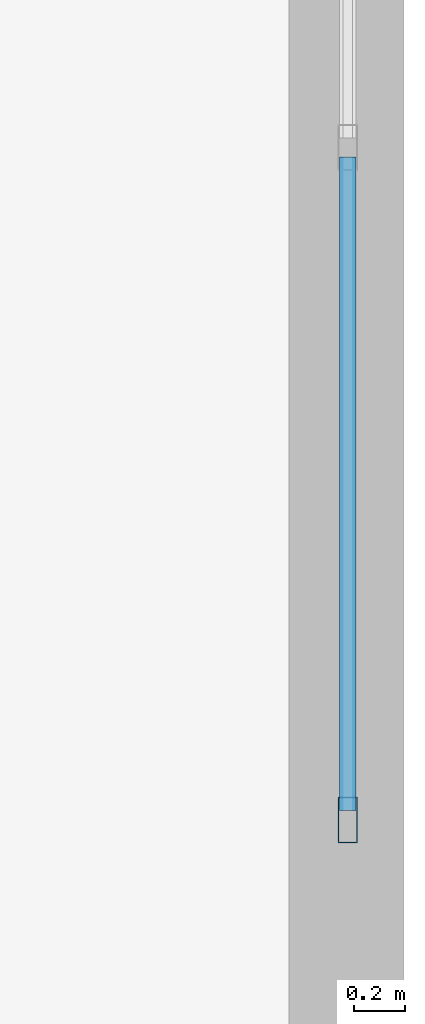
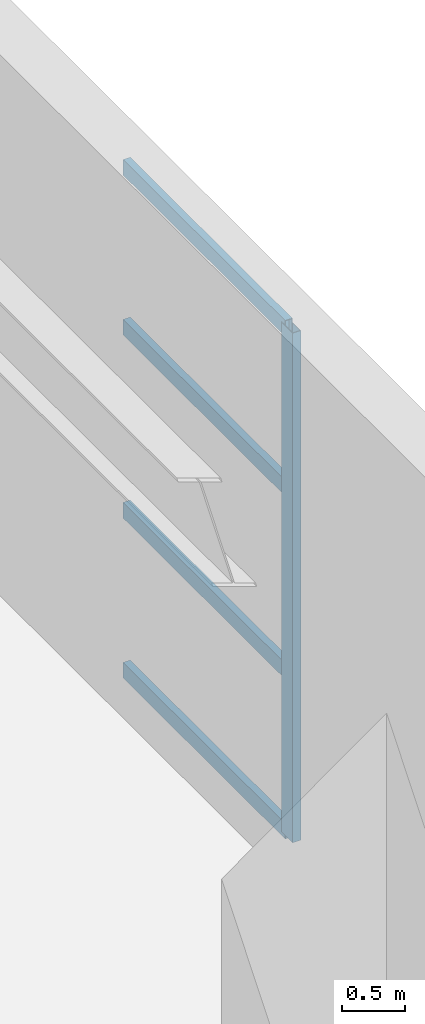
# One storey, part 14 of 35: 5 members, 1 element without a shape of its own.
"""IFC4 building model written with IfcOpenShell, lengths in metres."""

import ifcopenshell
import ifcopenshell.guid

model = None  # the IFC model being written
_history = None  # IfcOwnerHistory: only IFC2X3 demands one
_inside = {}  # id of a spatial element -> (the spatial element, [elements in it])
_under = {}  # id of a project, library or spatial element -> (it, [spatial elements below it])
_declared = {}  # id of a project -> (the project, [libraries it declares])
_typed = {}  # id of a type object -> (the type object, [elements of that type])
_made_of = {}  # id of a material, layer set ... -> (it, [elements and type objects made of it])


def new_model(schema):
    """Start an empty IFC model of exactly this schema.

    Asked for "IFC4X3", IfcOpenShell would pick the latest addendum, in which some entities
    have other attributes; the version numbers below select the first issue.
    IFC2X3 requires an IfcOwnerHistory on every rooted entity: one is made here for all.
    """
    global model, _history
    if schema == "IFC4X3":
        model = ifcopenshell.file(schema_version=(4, 3, 0, 0))
    else:
        model = ifcopenshell.file(schema=schema)
    _inside.clear()
    _under.clear()
    _declared.clear()
    _typed.clear()
    _made_of.clear()
    _history = None
    if model.schema == "IFC2X3":
        org = make("IfcOrganization", Name="unknown")
        user = make(
            "IfcPersonAndOrganization",
            ThePerson=make("IfcPerson", FamilyName="unknown"),
            TheOrganization=org,
        )
        app = make(
            "IfcApplication",
            ApplicationDeveloper=org,
            Version="unknown",
            ApplicationFullName="unknown",
            ApplicationIdentifier="unknown",
        )
        _history = make(
            "IfcOwnerHistory",
            OwningUser=user,
            OwningApplication=app,
            ChangeAction="ADDED",
            CreationDate=0,
        )
    return model


def make(cls, **values):
    """One entity of the class cls with the attributes given. An attribute that is None is left unset."""
    return model.create_entity(
        cls, **{name: value for name, value in values.items() if value is not None}
    )


def rooted(cls, **values):
    """An entity with a GlobalId (a new one), such as an element, a storey or a relation."""
    return make(cls, GlobalId=ifcopenshell.guid.new(), OwnerHistory=_history, **values)


def si_unit(unit_type, name, prefix=None):
    """IfcSIUnit, for example si_unit("LENGTHUNIT", "METRE", prefix="MILLI")."""
    return make("IfcSIUnit", UnitType=unit_type, Prefix=prefix, Name=name)


def assignment(units):
    """IfcUnitAssignment: the units of a project."""
    return None if units is None else make("IfcUnitAssignment", Units=units)


def point(xyz):
    """IfcCartesianPoint."""
    return None if xyz is None else make("IfcCartesianPoint", Coordinates=xyz)


def direction(xyz):
    """IfcDirection."""
    return None if xyz is None else make("IfcDirection", DirectionRatios=xyz)


def frame(location, z_axis=None, x_axis=None):
    """IfcAxis2Placement3D, a coordinate frame: its origin and axes. An axis left out is left unset."""
    return make(
        "IfcAxis2Placement3D",
        Location=point(location),
        Axis=direction(z_axis),
        RefDirection=direction(x_axis),
    )


def frame_2d(location, x_axis=None):
    """IfcAxis2Placement2D, a coordinate frame in the plane: its origin and x axis."""
    return make(
        "IfcAxis2Placement2D", Location=point(location), RefDirection=direction(x_axis)
    )


def origin():
    """The frame at (0, 0, 0) with its axes left unset."""
    return frame((0.0, 0.0, 0.0))


def origin_2d():
    """The frame at (0, 0) in the plane with its x axis left unset."""
    return frame_2d((0.0, 0.0))


def place(relative_to, where):
    """IfcLocalPlacement: puts the frame where relative to a parent placement (None: the world)."""
    return make(
        "IfcLocalPlacement", PlacementRelTo=relative_to, RelativePlacement=where
    )


def context(
    kind, dimensions, precision=None, world=None, true_north=None, identifier=None
):
    """IfcGeometricRepresentationContext, for example the 3D "Model" context."""
    return make(
        "IfcGeometricRepresentationContext",
        ContextIdentifier=identifier,
        ContextType=kind,
        CoordinateSpaceDimension=dimensions,
        Precision=precision,
        WorldCoordinateSystem=world,
        TrueNorth=true_north,
    )


def subcontext(parent, identifier, kind, view, scale=None):
    """IfcGeometricRepresentationSubContext, for example "Body" below "Model"."""
    return make(
        "IfcGeometricRepresentationSubContext",
        ContextIdentifier=identifier,
        ContextType=kind,
        ParentContext=parent,
        TargetScale=scale,
        TargetView=view,
    )


def project(units=None, contexts=None):
    """IfcProject with its units and contexts."""
    return rooted(
        "IfcProject",
        Name="project",
        RepresentationContexts=contexts,
        UnitsInContext=assignment(units),
    )


def spatial(cls, under=None, at=None, **own):
    """A site, building, storey or space (cls), placed at a placement, below another one or the project."""
    s = rooted(cls, ObjectPlacement=at, **own)
    if under is not None:
        _under.setdefault(under.id(), (under, []))[1].append(s)
    return s


def profile(cls, at=None, kind="AREA", **sizes):
    """A parametric profile (cls). Its sizes go by their IFC names, for example OverallWidth=200.0."""
    return make(cls, ProfileType=kind, Position=at, **sizes)


def hollow_rectangle(**sizes):
    """IfcRectangleHollowProfileDef."""
    return profile("IfcRectangleHollowProfileDef", **sizes)


def extrude(swept, where, along, depth):
    """IfcExtrudedAreaSolid: the profile swept, set in the frame where, extruded along a direction by depth."""
    return make(
        "IfcExtrudedAreaSolid",
        SweptArea=swept,
        Position=where,
        ExtrudedDirection=direction(along),
        Depth=depth,
    )


def shape(context_of_items, identifier, shape_type, items):
    """IfcShapeRepresentation: the items that make up one representation, for example the "Body"."""
    return make(
        "IfcShapeRepresentation",
        ContextOfItems=context_of_items,
        RepresentationIdentifier=identifier,
        RepresentationType=shape_type,
        Items=items,
    )


def material(Name=None, Category=None):
    """IfcMaterial."""
    return make("IfcMaterial", Name=Name, Category=Category)


def layer(
    of_material, thickness, ventilated=None, Name=None, Category=None, Priority=None
):
    """IfcMaterialLayer: one layer of a wall or slab, of a material (None: an air gap)."""
    return make(
        "IfcMaterialLayer",
        Material=of_material,
        LayerThickness=thickness,
        IsVentilated=ventilated,
        Name=Name,
        Category=Category,
        Priority=Priority,
    )


def layer_set(layers, Name=None):
    """IfcMaterialLayerSet."""
    return make("IfcMaterialLayerSet", MaterialLayers=layers, LayerSetName=Name)


def material_profile(
    of_material, cross_section, Name=None, Category=None, Priority=None
):
    """IfcMaterialProfile: a cross section and its material."""
    return make(
        "IfcMaterialProfile",
        Name=Name,
        Material=of_material,
        Profile=cross_section,
        Priority=Priority,
        Category=Category,
    )


def profile_set(profiles, Name=None, composite=None):
    """IfcMaterialProfileSet."""
    return make(
        "IfcMaterialProfileSet",
        Name=Name,
        MaterialProfiles=profiles,
        CompositeProfile=composite,
    )


def made_of(thing, what):
    """Note that an element or type object is made of a material, layer set ...; save() writes the relation."""
    if what is not None:
        _made_of.setdefault(what.id(), (what, []))[1].append(thing)
    return thing


def type_object(cls, material=None, **own):
    """A type object (cls), such as IfcWallType, which elements share."""
    return made_of(rooted(cls, **own), material)


def element(
    cls,
    number,
    at=None,
    inside=None,
    cuts=None,
    type_object=None,
    material=None,
    context=None,
    identifier="Body",
    shape_type=None,
    held_by="IfcProductDefinitionShape",
    body=None,
    shapes=None,
    **own,
):
    """One element of the class cls, such as IfcWall. Its Tag is "e" and its number.

    at: its placement. inside: the storey or other place that contains it. cuts: it is an
    opening in that element (IfcRelVoidsElement). A single representation is given by context,
    identifier, shape_type and body (its items); several are given by shapes. held_by: the class
    of the entity that holds the representations. save() writes the other relations.
    """
    e = rooted(cls, Tag="e%d" % number, ObjectPlacement=at, **own)
    if body is not None:
        shapes = [shape(context, identifier, shape_type, body)]
    if shapes is not None:
        e.Representation = make(held_by, Representations=shapes)
    if inside is not None:
        _inside.setdefault(inside.id(), (inside, []))[1].append(e)
    if cuts is not None:
        rooted(
            "IfcRelVoidsElement", RelatingBuildingElement=cuts, RelatedOpeningElement=e
        )
    if type_object is not None:
        _typed.setdefault(type_object.id(), (type_object, []))[1].append(e)
    return made_of(e, material)


def aggregate(whole, parts):
    """IfcRelAggregates: a whole, such as a stair, and the parts it consists of."""
    return rooted("IfcRelAggregates", RelatingObject=whole, RelatedObjects=parts)


def save(model, path):
    """Write the relations noted so far, then the file.

    IfcRelAggregates (storeys below a building ...), IfcRelContainedInSpatialStructure (elements
    in a storey), IfcRelDefinesByType, IfcRelAssociatesMaterial and IfcRelDeclares: one each for
    every whole, place, type object, material and project.
    """
    for whole, parts in _under.values():
        aggregate(whole, parts)
    for where, things in _inside.values():
        rooted(
            "IfcRelContainedInSpatialStructure",
            RelatedElements=things,
            RelatingStructure=where,
        )
    for kind, things in _typed.values():
        rooted("IfcRelDefinesByType", RelatedObjects=things, RelatingType=kind)
    for what, things in _made_of.values():
        rooted("IfcRelAssociatesMaterial", RelatedObjects=things, RelatingMaterial=what)
    for by, libraries in _declared.values():
        rooted("IfcRelDeclares", RelatingContext=by, RelatedDefinitions=libraries)
    model.write(path)


model = new_model("IFC4")

# Units and contexts
model_context = context("Model", 3, precision=1e-05, world=origin(), true_north=direction((0.0, 1.0)))
body_context = subcontext(model_context, "Body", "Model", "MODEL_VIEW")
ifc_project = project(units=[si_unit("LENGTHUNIT", "METRE"), si_unit("AREAUNIT", "SQUARE_METRE"), si_unit("VOLUMEUNIT", "CUBIC_METRE"), si_unit("PLANEANGLEUNIT", "RADIAN"), si_unit("MASSUNIT", "GRAM", prefix="KILO")], contexts=[model_context])

# Site, building, storey
site_placement = place(None, origin())
site = spatial("IfcSite", under=ifc_project, at=site_placement, CompositionType="ELEMENT")
building_placement = place(site_placement, origin())
building = spatial("IfcBuilding", under=site, at=building_placement, Name="Qiaolan Cultural Towers", CompositionType="ELEMENT")
storey_placement = place(building_placement, frame((0.0, 0.0, 6.0)))
storey = spatial("IfcBuildingStorey", under=building, at=storey_placement, Name="L01", CompositionType="ELEMENT", Elevation=6.0)

# Curtain wall, members
ifc_material_1 = material(Name="Unitized Anodized Aluminium Curtain Wall System", Category="aluminium")
ifc_layer = layer(ifc_material_1, 0.199951171875)
ifc_layer_set = layer_set([ifc_layer], Name="Unitized Anodized Aluminium Curtain Wall System")
curtain_wall_type = type_object("IfcCurtainWallType", Name="CWS-04", PredefinedType="NOTDEFINED", material=ifc_layer_set)
curtain_wall_placement = place(storey_placement, origin())
curtain_wall = element("IfcCurtainWall", 1, at=curtain_wall_placement, inside=storey, type_object=curtain_wall_type, Name="L01 East Exhibition Foyer Curtain Wall", PredefinedType="NOTDEFINED")
ifc_material_2 = material(Name="Extruded Aluminium 6063-T6", Category="aluminium")
ifc_material_profile_1 = material_profile(ifc_material_2, hollow_rectangle(XDim=0.074951171875, YDim=0.179931640625, WallThickness=0.00390625, at=origin_2d()), Name="CWM-180x75x4")
ifc_profile_set_1 = profile_set([ifc_material_profile_1], Name="Extruded Aluminium 6063-T6")
member_type_1 = type_object("IfcMemberType", Name="CWS-04-MUL", PredefinedType="MULLION", material=ifc_profile_set_1)
member_1_placement = place(storey_placement, frame((119.780029296875, 30.03759765625, 0.14990234375), z_axis=(0.0, 0.0, 1.0), x_axis=(-1.0, 0.0, 0.0)))
member_1 = element("IfcMember", 2, at=member_1_placement, type_object=member_type_1, Name="CW-4 mullion 1", PredefinedType="MULLION", context=body_context, shape_type="SweptSolid", body=[
    extrude(hollow_rectangle(XDim=0.074951171875, YDim=0.179931640625, WallThickness=0.00390625, at=origin_2d()), origin(), (0.0, 0.0, 1.0), 4.900146484375),
])
ifc_material_3 = material(Name="Extruded Aluminium 6063-T6", Category="aluminium")
ifc_material_profile_2 = material_profile(ifc_material_3, hollow_rectangle(XDim=0.06494140625, YDim=0.14990234375, WallThickness=0.00390625, at=origin_2d()), Name="CWT-150x65x4")
ifc_profile_set_2 = profile_set([ifc_material_profile_2], Name="Extruded Aluminium 6063-T6")
member_type_2 = type_object("IfcMemberType", Name="CWS-04-TRN", PredefinedType="USERDEFINED", material=ifc_profile_set_2)
member_2_placement = place(storey_placement, frame((119.780029296875, 30.074951171875, 0.1826171875), z_axis=(0.0, 1.0, 0.0), x_axis=(-1.0, 0.0, 0.0)))
member_2 = element("IfcMember", 3, at=member_2_placement, type_object=member_type_2, Name="CW-4 transom 1.1", ObjectType="TRANSOM", PredefinedType="USERDEFINED", context=body_context, shape_type="SweptSolid", body=[
    extrude(hollow_rectangle(XDim=0.06494140625, YDim=0.14990234375, WallThickness=0.00390625, at=origin_2d()), origin(), (0.0, 0.0, 1.0), 2.55419921875),
])
member_3_placement = place(storey_placement, frame((119.780029296875, 30.074951171875, 1.719970703125), z_axis=(0.0, 1.0, 0.0), x_axis=(-1.0, 0.0, 0.0)))
member_3 = element("IfcMember", 4, at=member_3_placement, type_object=member_type_2, Name="CW-4 transom 1.2", ObjectType="TRANSOM", PredefinedType="USERDEFINED", context=body_context, shape_type="SweptSolid", body=[
    extrude(hollow_rectangle(XDim=0.06494140625, YDim=0.14990234375, WallThickness=0.00390625, at=origin_2d()), origin(), (0.0, 0.0, 1.0), 2.55419921875),
])
member_4_placement = place(storey_placement, frame((119.780029296875, 30.074951171875, 3.47998046875), z_axis=(0.0, 1.0, 0.0), x_axis=(-1.0, 0.0, 0.0)))
member_4 = element("IfcMember", 5, at=member_4_placement, type_object=member_type_2, Name="CW-4 transom 1.3", ObjectType="TRANSOM", PredefinedType="USERDEFINED", context=body_context, shape_type="SweptSolid", body=[
    extrude(hollow_rectangle(XDim=0.06494140625, YDim=0.14990234375, WallThickness=0.00390625, at=origin_2d()), origin(), (0.0, 0.0, 1.0), 2.55419921875),
])
member_5_placement = place(storey_placement, frame((119.780029296875, 30.074951171875, 5.017578125), z_axis=(0.0, 1.0, 0.0), x_axis=(-1.0, 0.0, 0.0)))
member_5 = element("IfcMember", 6, at=member_5_placement, type_object=member_type_2, Name="CW-4 transom 1.4", ObjectType="TRANSOM", PredefinedType="USERDEFINED", context=body_context, shape_type="SweptSolid", body=[
    extrude(hollow_rectangle(XDim=0.06494140625, YDim=0.14990234375, WallThickness=0.00390625, at=origin_2d()), origin(), (0.0, 0.0, 1.0), 2.55419921875),
])
aggregate(curtain_wall, [member_1, member_2, member_3, member_4, member_5])

save(model, "model.ifc")
